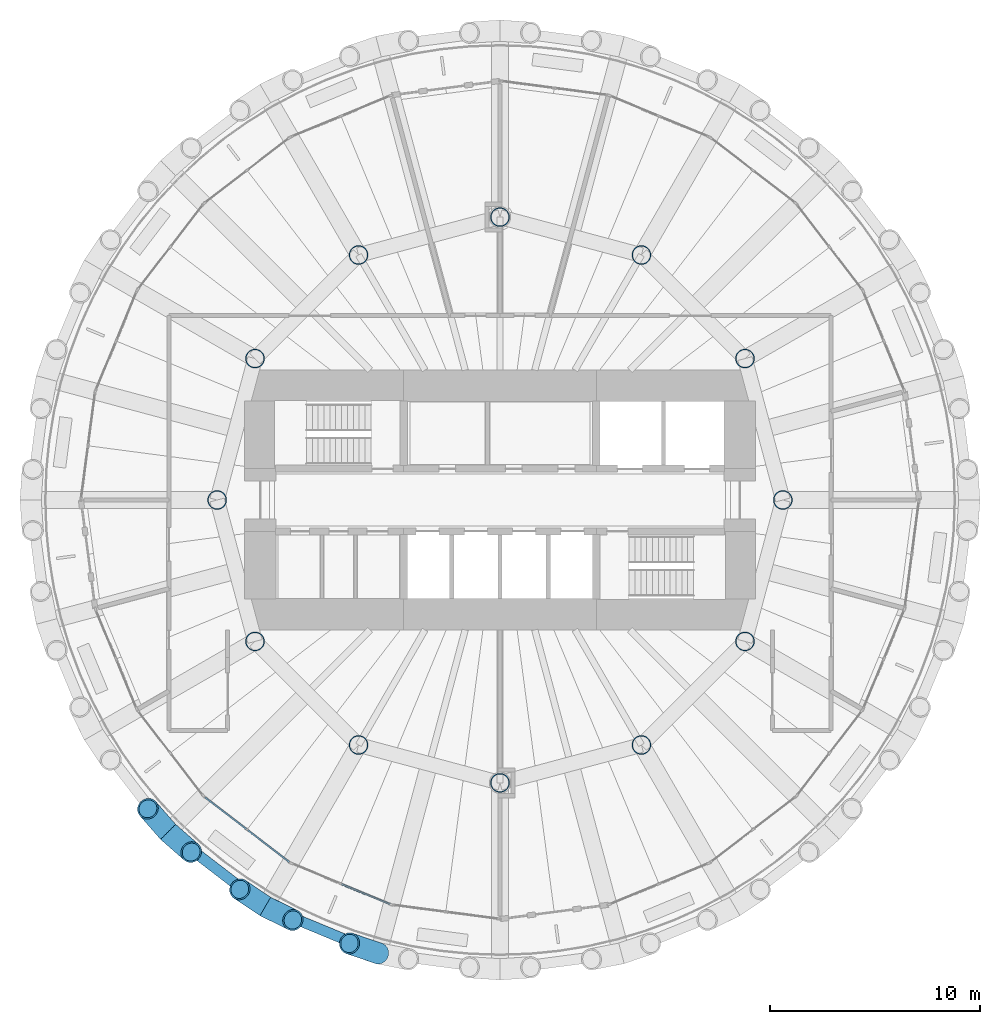
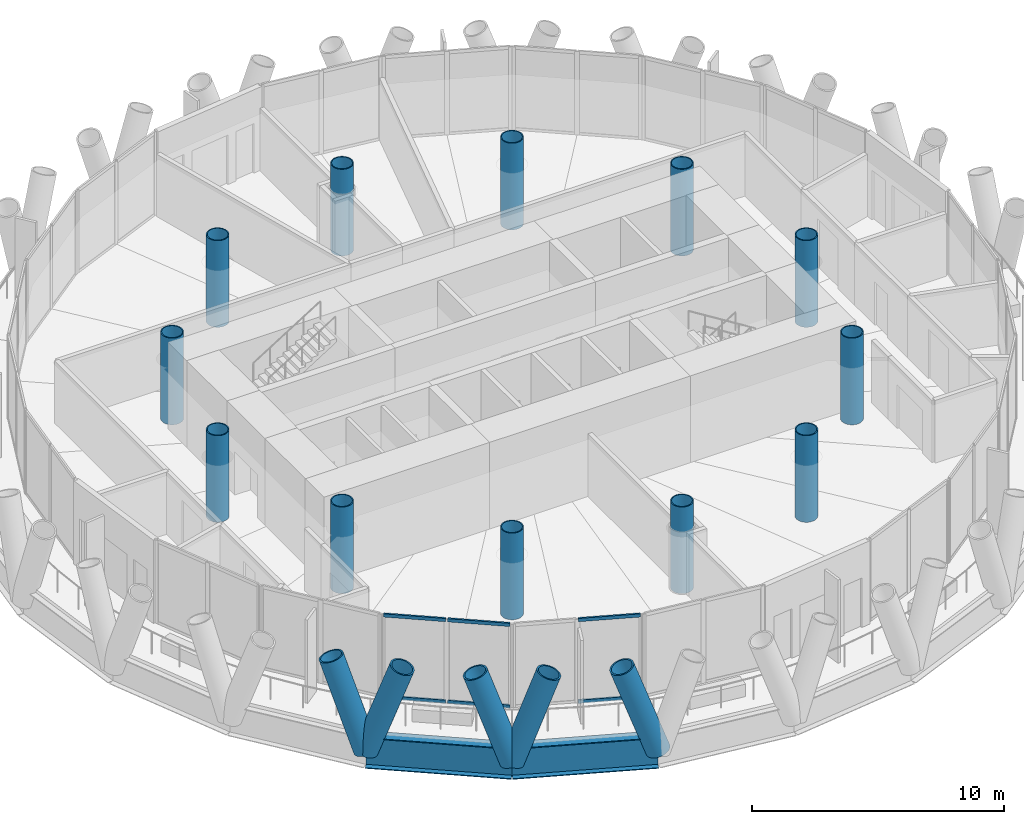
# One storey, part 1 of 13: 12 columns, 11 members, 2 beams, 2 elements without a shape of their own.
"""IFC4 building model written with IfcOpenShell, lengths in metres."""

from ifc_helpers import new_model, si_unit, direction, frame, origin, origin_2d, place, context, subcontext, project, spatial, rectangle, hollow_circle, i_section, extrude, material, material_profile, profile_set, type_object, element, aggregate, save


model = new_model("IFC4")

# Units and contexts
model_context = context("Model", 3, precision=1e-05, world=origin(), true_north=direction((0.0, 1.0)))
body_context = subcontext(model_context, "Body", "Model", "MODEL_VIEW")
ifc_project = project(units=[si_unit("LENGTHUNIT", "METRE"), si_unit("AREAUNIT", "SQUARE_METRE"), si_unit("VOLUMEUNIT", "CUBIC_METRE"), si_unit("PLANEANGLEUNIT", "RADIAN"), si_unit("MASSUNIT", "GRAM", prefix="KILO")], contexts=[model_context])

# Site, building, storey
site_placement = place(None, origin())
site = spatial("IfcSite", under=ifc_project, at=site_placement, CompositionType="ELEMENT")
building_placement = place(site_placement, origin())
building = spatial("IfcBuilding", under=site, at=building_placement, Name="Qaws Media Tower", CompositionType="ELEMENT")
storey_placement = place(building_placement, frame((0.0, 0.0, 244.39990234375)))
storey = spatial("IfcBuildingStorey", under=building, at=storey_placement, Name="L56", CompositionType="ELEMENT", Elevation=244.39990234375)

# Columns
ifc_material_1 = material(Name="Steel S460", Category="steel")
ifc_material_profile_1 = material_profile(ifc_material_1, hollow_circle(Radius=0.45703125, WallThickness=0.044921875, at=origin_2d()), Name="CHS 914x45")
ifc_profile_set_1 = profile_set([ifc_material_profile_1], Name="Steel S460")
column_type = type_object("IfcColumnType", Name="Inner column CHS 914x45", PredefinedType="COLUMN", material=ifc_profile_set_1)
for number, where, z_axis, x_axis, name in (
    (1, (73.5, 50.0, 0.0), (0.0, 0.0, 1.0), (1.0, 0.0, 0.0), "C3 inner column I01 L56"),
    (2, (71.69140625, 56.75, 0.0), (0.0, 0.0, 1.0), (1.0, 0.0, 0.0), "C3 inner column I02 L56"),
    (3, (66.75, 61.69140625, 0.0), (0.0, 0.0, 1.0), (1.0, 0.0, 0.0), "C3 inner column I03 L56"),
    (4, (60.0, 63.5, 0.0), (0.0, 0.0, 1.0), (1.0, 0.0, 0.0), "C3 inner column I04 L56"),
    (5, (53.25, 61.69140625, 0.0), (0.0, 0.0, 1.0), (1.0, 0.0, 0.0), "C3 inner column I05 L56"),
    (6, (48.30859375, 56.75, 0.0), (0.0, 0.0, 1.0), (1.0, 0.0, 0.0), "C3 inner column I06 L56"),
    (7, (46.5, 50.0, 0.0), (0.0, 0.0, 1.0), (1.0, 0.0, 0.0), "C3 inner column I07 L56"),
    (8, (48.30859375, 43.25, 0.0), (0.0, 0.0, 1.0), (1.0, 0.0, 0.0), "C3 inner column I08 L56"),
    (9, (53.25, 38.30859375, 0.0), (0.0, 0.0, 1.0), (1.0, 0.0, 0.0), "C3 inner column I09 L56"),
    (10, (60.0, 36.5, 0.0), (0.0, 0.0, 1.0), (1.0, 0.0, 0.0), "C3 inner column I10 L56"),
    (11, (66.75, 38.30859375, 0.0), (0.0, 0.0, 1.0), (1.0, 0.0, 0.0), "C3 inner column I11 L56"),
    (12, (71.69140625, 43.25, 0.0), (0.0, 0.0, 1.0), (1.0, 0.0, 0.0), "C3 inner column I12 L56"),
):
    element("IfcColumn", number, at=place(storey_placement, frame(where, z_axis=z_axis, x_axis=x_axis)), inside=storey, type_object=column_type, Name=name, PredefinedType="COLUMN", context=body_context, shape_type="SweptSolid", body=[
        extrude(hollow_circle(Radius=0.45703125, WallThickness=0.044921875, at=origin_2d()), origin(), (0.0, 0.0, 1.0), 4.2001953125),
    ])

# Curtain wall, members
ifc_material_2 = material(Name="Aluminium and clear glass", Category="aluminium")
curtain_wall_type = type_object("IfcCurtainWallType", Name="Unitised curtain wall CW-C", PredefinedType="NOTDEFINED", material=ifc_material_2)
curtain_wall_1_placement = place(storey_placement, origin())
curtain_wall_1 = element("IfcCurtainWall", 13, at=curtain_wall_1_placement, inside=storey, type_object=curtain_wall_type, Name="CWC curtain wall L56-16", PredefinedType="NOTDEFINED")
ifc_material_3 = material(Name="Aluminium transom", Category="aluminium")
ifc_material_profile_2 = material_profile(ifc_material_3, rectangle(XDim=0.080078125, YDim=0.159912109375, at=origin_2d()), Name="80x160")
ifc_profile_set_2 = profile_set([ifc_material_profile_2], Name="Aluminium transom")
member_type_1 = type_object("IfcMemberType", Name="Curtain wall transom 80x160", PredefinedType="USERDEFINED", material=ifc_profile_set_2)
member_1_placement = place(storey_placement, frame((45.92138671875, 35.80908203125, 0.0400390625), z_axis=(0.793352266217, -0.608762828767, 0.0), x_axis=(0.608762828767, 0.793352266217, 0.0)))
member_1 = element("IfcMember", 14, at=member_1_placement, type_object=member_type_1, Name="CWC transom 1.1", ObjectType="TRANSOM", PredefinedType="USERDEFINED", context=body_context, shape_type="SweptSolid", body=[
    extrude(rectangle(XDim=0.080078125, YDim=0.159912109375, at=origin_2d()), origin(), (0.0, 0.0, 1.0), 2.490478515625),
])
member_2_placement = place(storey_placement, frame((45.92138671875, 35.80908203125, 4.0), z_axis=(0.793352266217, -0.608762828767, 0.0), x_axis=(0.608762828767, 0.793352266217, 0.0)))
member_2 = element("IfcMember", 15, at=member_2_placement, type_object=member_type_1, Name="CWC transom 1.2", ObjectType="TRANSOM", PredefinedType="USERDEFINED", context=body_context, shape_type="SweptSolid", body=[
    extrude(rectangle(XDim=0.080078125, YDim=0.159912109375, at=origin_2d()), origin(), (0.0, 0.0, 1.0), 2.490478515625),
])
member_3_placement = place(storey_placement, frame((47.960693359375, 34.244384765625, 0.0400390625), z_axis=(0.793352266217, -0.608762828767, 0.0), x_axis=(0.608762828767, 0.793352266217, 0.0)))
member_3 = element("IfcMember", 16, at=member_3_placement, type_object=member_type_1, Name="CWC transom 2.1", ObjectType="TRANSOM", PredefinedType="USERDEFINED", context=body_context, shape_type="SweptSolid", body=[
    extrude(rectangle(XDim=0.080078125, YDim=0.159912109375, at=origin_2d()), origin(), (0.0, 0.0, 1.0), 2.490478515625),
])
member_4_placement = place(storey_placement, frame((47.960693359375, 34.244384765625, 4.0), z_axis=(0.793352266217, -0.608762828767, 0.0), x_axis=(0.608762828767, 0.793352266217, 0.0)))
member_4 = element("IfcMember", 17, at=member_4_placement, type_object=member_type_1, Name="CWC transom 2.2", ObjectType="TRANSOM", PredefinedType="USERDEFINED", context=body_context, shape_type="SweptSolid", body=[
    extrude(rectangle(XDim=0.080078125, YDim=0.159912109375, at=origin_2d()), origin(), (0.0, 0.0, 1.0), 2.490478515625),
])
aggregate(curtain_wall_1, [member_1, member_2, member_3, member_4])

curtain_wall_2_placement = place(storey_placement, origin())
curtain_wall_2 = element("IfcCurtainWall", 18, at=curtain_wall_2_placement, inside=storey, type_object=curtain_wall_type, Name="CWC curtain wall L56-17", PredefinedType="NOTDEFINED")
member_5_placement = place(storey_placement, frame((52.44873046875, 31.665283203125, 0.0400390625), z_axis=(0.923878244152, -0.382686542724, 0.0), x_axis=(0.382686542724, 0.923878244152, 0.0)))
member_5 = element("IfcMember", 19, at=member_5_placement, type_object=member_type_1, Name="CWC transom 2.1", ObjectType="TRANSOM", PredefinedType="USERDEFINED", context=body_context, shape_type="SweptSolid", body=[
    extrude(rectangle(XDim=0.080078125, YDim=0.159912109375, at=origin_2d()), origin(), (0.0, 0.0, 1.0), 2.49072265625),
])
member_6_placement = place(storey_placement, frame((52.44873046875, 31.665283203125, 4.0), z_axis=(0.923878244152, -0.382686542724, 0.0), x_axis=(0.382686542724, 0.923878244152, 0.0)))
member_6 = element("IfcMember", 20, at=member_6_placement, type_object=member_type_1, Name="CWC transom 2.2", ObjectType="TRANSOM", PredefinedType="USERDEFINED", context=body_context, shape_type="SweptSolid", body=[
    extrude(rectangle(XDim=0.080078125, YDim=0.159912109375, at=origin_2d()), origin(), (0.0, 0.0, 1.0), 2.49072265625),
])
aggregate(curtain_wall_2, [member_5, member_6])

# Members
ifc_material_4 = material(Name="Steel S460", Category="steel")
ifc_material_profile_3 = material_profile(ifc_material_4, hollow_circle(Radius=0.508056640625, WallThickness=0.070068359375, at=origin_2d()), Name="CHS 1016x70")
ifc_profile_set_3 = profile_set([ifc_material_profile_3], Name="Steel S460")
member_type_2 = type_object("IfcMemberType", Name="Diagrid member CHS 1016x70", PredefinedType="USERDEFINED", material=ifc_profile_set_3)
for number, where, z_axis, x_axis, name in (
    (21, (44.160888671875, 34.160888671875, -0.909912109375), (0.247918674394, -0.216853372267, 0.944198573301), (0.65837482924, 0.752690231252, 0.0), "DG3 diagrid L56 A16"),
    (22, (44.160888671875, 34.160888671875, -0.909912109375), (-0.216853372267, 0.247918674394, 0.944198573301), (-0.752690231252, -0.65837482924, 0.0), "DG3 diagrid L56 B16"),
):
    element("IfcMember", number, at=place(storey_placement, frame(where, z_axis=z_axis, x_axis=x_axis)), inside=storey, type_object=member_type_2, Name=name, ObjectType="DIAGRID", PredefinedType="USERDEFINED", context=body_context, shape_type="SweptSolid", body=[
        extrude(hollow_circle(Radius=0.508056640625, WallThickness=0.070068359375, at=origin_2d()), origin(), (0.0, 0.0, 1.0), 4.4482421875),
    ])
member_7_placement = place(storey_placement, frame((48.800048828125, 30.60107421875, -0.909912109375), z_axis=(0.295563398318, -0.145284366824, 0.944211168294), x_axis=(0.441137050209, 0.897439748915, 0.0)))
element("IfcMember", 23, at=member_7_placement, inside=storey, type_object=member_type_2, Name="DG3 diagrid L56 A17", ObjectType="DIAGRID", PredefinedType="USERDEFINED", context=body_context, shape_type="SweptSolid", body=[
    extrude(hollow_circle(Radius=0.508056640625, WallThickness=0.070068359375, at=origin_2d()), origin(), (0.0, 0.0, 1.0), 4.447998046875),
])
member_8_placement = place(storey_placement, frame((48.800048828125, 30.60107421875, -0.909912109375), z_axis=(-0.273605666565, 0.183373426679, 0.944200257155), x_axis=(-0.556736639669, -0.830689059787, 0.0)))
element("IfcMember", 24, at=member_8_placement, inside=storey, type_object=member_type_2, Name="DG3 diagrid L56 B17", ObjectType="DIAGRID", PredefinedType="USERDEFINED", context=body_context, shape_type="SweptSolid", body=[
    extrude(hollow_circle(Radius=0.508056640625, WallThickness=0.070068359375, at=origin_2d()), origin(), (0.0, 0.0, 1.0), 4.4482421875),
])
member_9_placement = place(storey_placement, frame((54.202392578125, 28.36328125, -0.909912109375), z_axis=(-0.311700863625, 0.106315297208, 0.944213762447), x_axis=(-0.322819837953, -0.946460433523, 0.0)))
element("IfcMember", 25, at=member_9_placement, inside=storey, type_object=member_type_2, Name="DG3 diagrid L56 B18", ObjectType="DIAGRID", PredefinedType="USERDEFINED", context=body_context, shape_type="SweptSolid", body=[
    extrude(hollow_circle(Radius=0.508056640625, WallThickness=0.070068359375, at=origin_2d()), origin(), (0.0, 0.0, 1.0), 4.447998046875),
])

# Beams
ifc_material_5 = material(Name="Steel S460", Category="steel")
ifc_material_profile_4 = material_profile(ifc_material_5, i_section(OverallWidth=0.5, OverallDepth=1.5, WebThickness=0.02001953125, FlangeThickness=0.0400390625, at=origin_2d()), Name="PG 1500x500")
ifc_profile_set_4 = profile_set([ifc_material_profile_4], Name="Steel S460")
beam_type = type_object("IfcBeamType", Name="Edge ring beam PG 1500x500", PredefinedType="BEAM", material=ifc_profile_set_4)
beam_1_placement = place(storey_placement, frame((44.160888671875, 34.160888671875, -0.909912109375), z_axis=(0.793348247333, -0.608768066223, 0.0), x_axis=(0.608768066223, 0.793348247333, 0.0)))
element("IfcBeam", 26, at=beam_1_placement, inside=storey, type_object=beam_type, Name="RB4 edge ring beam L56-16", PredefinedType="BEAM", context=body_context, shape_type="SweptSolid", body=[
    extrude(i_section(OverallWidth=0.5, OverallDepth=1.5, WebThickness=0.02001953125, FlangeThickness=0.0400390625, at=origin_2d()), origin(), (0.0, 0.0, 1.0), 5.84765625),
])
beam_2_placement = place(storey_placement, frame((48.800048828125, 30.60107421875, -0.909912109375), z_axis=(0.923875365447, -0.382693492394, 0.0), x_axis=(0.382693492394, 0.923875365447, 0.0)))
element("IfcBeam", 27, at=beam_2_placement, inside=storey, type_object=beam_type, Name="RB4 edge ring beam L56-17", PredefinedType="BEAM", context=body_context, shape_type="SweptSolid", body=[
    extrude(i_section(OverallWidth=0.5, OverallDepth=1.5, WebThickness=0.02001953125, FlangeThickness=0.0400390625, at=origin_2d()), origin(), (0.0, 0.0, 1.0), 5.847412109375),
])

save(model, "model.ifc")
